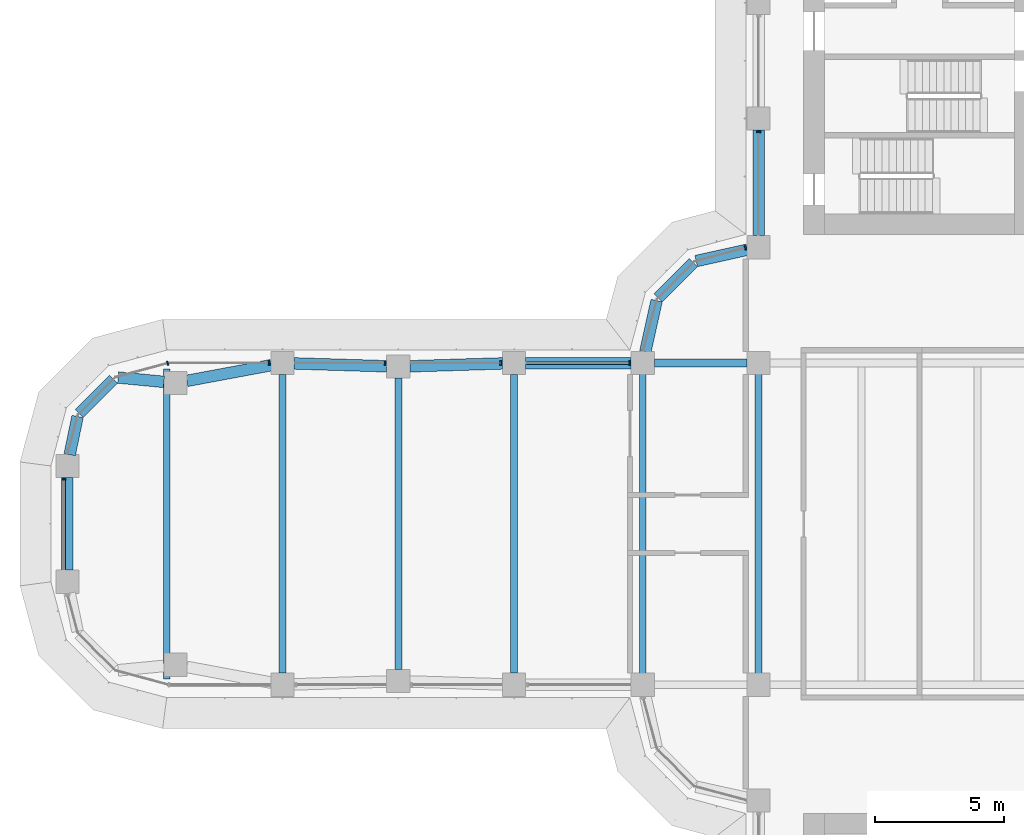
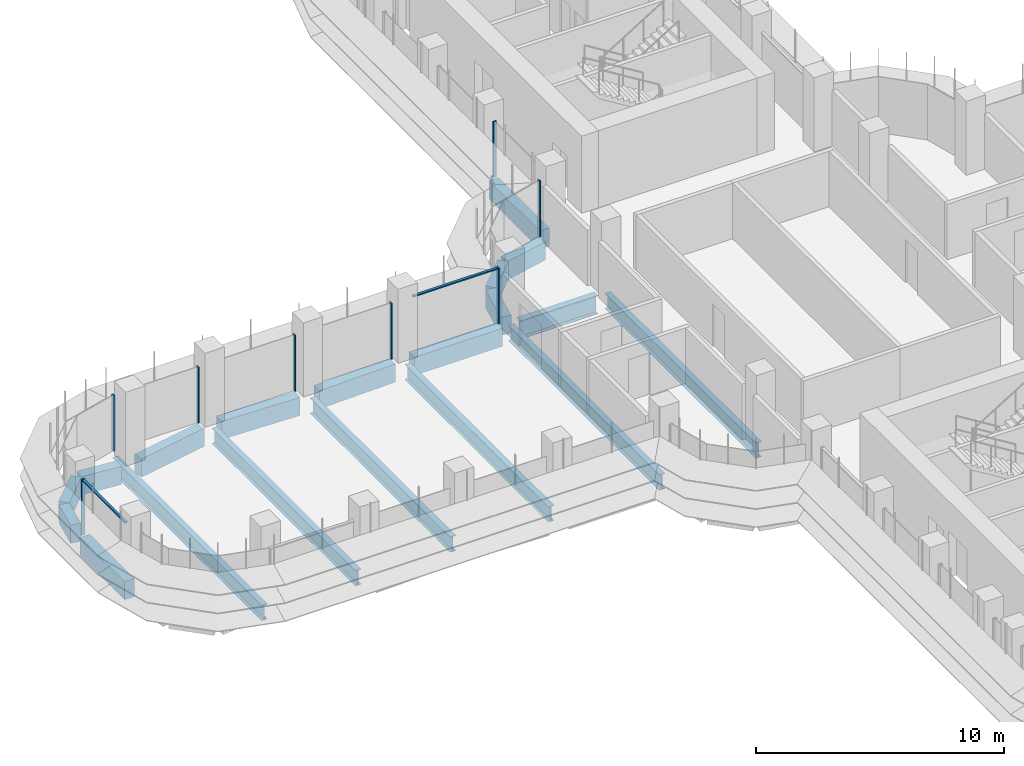
# One storey, part 6 of 21: 19 beams, 10 members, 5 elements without a shape of their own.
"""IFC4 building model written with IfcOpenShell, lengths in metres."""

from ifc_helpers import new_model, si_unit, direction, frame, origin, origin_2d, place, context, subcontext, project, spatial, polyline, rectangle, i_section, outline, extrude, source, transform, mapped, material, material_profile, profile_set, type_object, element, aggregate, save


model = new_model("IFC4")

# Units and contexts
model_context = context("Model", 3, precision=1e-05, world=origin(), true_north=direction((0.0, 1.0)))
body_context = subcontext(model_context, "Body", "Model", "MODEL_VIEW")
ifc_project = project(units=[si_unit("LENGTHUNIT", "METRE"), si_unit("AREAUNIT", "SQUARE_METRE"), si_unit("VOLUMEUNIT", "CUBIC_METRE"), si_unit("PLANEANGLEUNIT", "RADIAN"), si_unit("MASSUNIT", "GRAM", prefix="KILO")], contexts=[model_context])

# Site, building, storey
site_placement = place(None, origin())
site = spatial("IfcSite", under=ifc_project, at=site_placement, CompositionType="ELEMENT")
building_placement = place(site_placement, origin())
building = spatial("IfcBuilding", under=site, at=building_placement, Name="Zarbagh Exchange Tower", CompositionType="ELEMENT")
storey_placement = place(building_placement, frame((0.0, 0.0, 128.39990234375)))
storey = spatial("IfcBuildingStorey", under=building, at=storey_placement, Name="L30", CompositionType="ELEMENT", Elevation=128.39990234375)

# Beams
ifc_material_1 = material(Name="Steel ASTM A992 Gr 50", Category="steel")
ifc_material_profile_1 = material_profile(ifc_material_1, i_section(OverallWidth=0.2666015625, OverallDepth=0.7568359375, WebThickness=0.013916015625, FlangeThickness=0.019287109375, at=origin_2d()), Name="W30X108")
ifc_profile_set_1 = profile_set([ifc_material_profile_1], Name="Steel ASTM A992 Gr 50")
beam_type_1 = type_object("IfcBeamType", Name="Floor beam W30X108", PredefinedType="BEAM", material=ifc_profile_set_1)
for number, where, z_axis, x_axis, name in (
    (1, (-10.75, -6.09765625, -0.5283203125), (0.0, 1.0, 0.0), (-1.0, 0.0, 0.0), "Steel floor beam"),
    (2, (-6.25, -6.09765625, -0.5283203125), (0.0, 1.0, 0.0), (-1.0, 0.0, 0.0), "Steel floor beam"),
):
    element("IfcBeam", number, at=place(storey_placement, frame(where, z_axis=z_axis, x_axis=x_axis)), inside=storey, type_object=beam_type_1, Name=name, PredefinedType="BEAM", context=body_context, shape_type="SweptSolid", body=[
        extrude(i_section(OverallWidth=0.2666015625, OverallDepth=0.7568359375, WebThickness=0.013916015625, FlangeThickness=0.019287109375, at=origin_2d()), origin(), (0.0, 0.0, 1.0), 12.1953125),
    ])
beam_1_placement = place(storey_placement, frame((-15.75, -5.800048828125, -0.5283203125), z_axis=(0.0, 1.0, 0.0), x_axis=(-1.0, 0.0, 0.0)))
element("IfcBeam", 3, at=beam_1_placement, inside=storey, type_object=beam_type_1, Name="Steel floor beam", PredefinedType="BEAM", context=body_context, shape_type="SweptSolid", body=[
    extrude(i_section(OverallWidth=0.2666015625, OverallDepth=0.7568359375, WebThickness=0.013916015625, FlangeThickness=0.019287109375, at=origin_2d()), origin(), (0.0, 0.0, 1.0), 11.60009765625),
])
beam_2_placement = place(storey_placement, frame((-20.25, -5.659912109375, -0.5283203125), z_axis=(0.0, 1.0, 0.0), x_axis=(-1.0, 0.0, 0.0)))
element("IfcBeam", 4, at=beam_2_placement, inside=storey, type_object=beam_type_1, Name="Steel floor beam", PredefinedType="BEAM", context=body_context, shape_type="SweptSolid", body=[
    extrude(i_section(OverallWidth=0.2666015625, OverallDepth=0.7568359375, WebThickness=0.013916015625, FlangeThickness=0.019287109375, at=origin_2d()), origin(), (0.0, 0.0, 1.0), 11.31982421875),
])
beam_3_placement = place(storey_placement, frame((-24.75, -5.800048828125, -0.5283203125), z_axis=(0.0, 1.0, 0.0), x_axis=(-1.0, 0.0, 0.0)))
element("IfcBeam", 5, at=beam_3_placement, inside=storey, type_object=beam_type_1, Name="Steel floor beam", PredefinedType="BEAM", context=body_context, shape_type="SweptSolid", body=[
    extrude(i_section(OverallWidth=0.2666015625, OverallDepth=0.7568359375, WebThickness=0.013916015625, FlangeThickness=0.019287109375, at=origin_2d()), origin(), (0.0, 0.0, 1.0), 11.60009765625),
])
beam_4_placement = place(storey_placement, frame((-29.25, -6.02490234375, -0.5283203125), z_axis=(0.0, 1.0, 0.0), x_axis=(-1.0, 0.0, 0.0)))
element("IfcBeam", 6, at=beam_4_placement, inside=storey, type_object=beam_type_1, Name="Steel floor beam", PredefinedType="BEAM", context=body_context, shape_type="SweptSolid", body=[
    extrude(i_section(OverallWidth=0.2666015625, OverallDepth=0.7568359375, WebThickness=0.013916015625, FlangeThickness=0.019287109375, at=origin_2d()), origin(), (0.0, 0.0, 1.0), 12.0498046875),
])
ifc_material_profile_2 = material_profile(ifc_material_1, i_section(OverallWidth=0.3046875, OverallDepth=0.911865234375, WebThickness=0.015869140625, FlangeThickness=0.02392578125, at=origin_2d()), Name="W36X150")
ifc_profile_set_2 = profile_set([ifc_material_profile_2], Name="Steel ASTM A992 Gr 50")
beam_type_2 = type_object("IfcBeamType", Name="Floor girder W36X150", PredefinedType="BEAM", material=ifc_profile_set_2)
beam_5_placement = place(storey_placement, frame((-10.300048828125, 6.25, -0.605712890625), z_axis=(1.0, 0.0, 0.0), x_axis=(0.0, 1.0, 0.0)))
element("IfcBeam", 7, at=beam_5_placement, inside=storey, type_object=beam_type_2, Name="Steel girder", PredefinedType="BEAM", context=body_context, shape_type="SweptSolid", body=[
    extrude(i_section(OverallWidth=0.3046875, OverallDepth=0.911865234375, WebThickness=0.015869140625, FlangeThickness=0.02392578125, at=origin_2d()), origin(), (0.0, 0.0, 1.0), 3.60009765625),
])
ifc_material_2 = material(Name="Concrete C60/75", Category="concrete")
ifc_material_profile_3 = material_profile(ifc_material_2, rectangle(XDim=0.449951171875, YDim=0.89990234375, at=origin_2d()), Name="RC spandrel beam 450 x 900 C60/75")
ifc_profile_set_3 = profile_set([ifc_material_profile_3], Name="Concrete C60/75")
beam_type_3 = type_object("IfcBeamType", Name="RC spandrel beam 450 x 900 C60/75", PredefinedType="SPANDREL", material=ifc_profile_set_3)
beam_6_placement = place(storey_placement, frame((-33.110107421875, -1.800048828125, -0.599853515625), z_axis=(0.0, 1.0, 0.0), x_axis=(-1.0, 0.0, 0.0)))
element("IfcBeam", 8, at=beam_6_placement, inside=storey, type_object=beam_type_3, Name="RC spandrel beam", PredefinedType="SPANDREL", context=body_context, shape_type="SweptSolid", body=[
    extrude(rectangle(XDim=0.449951171875, YDim=0.89990234375, at=origin_2d()), origin(), (0.0, 0.0, 1.0), 3.60009765625),
])
beam_7_placement = place(storey_placement, frame((-33.01904296875, 2.690673828125, -0.599853515625), z_axis=(0.202275417995, 0.979328675816, 0.0), x_axis=(-0.979328675816, 0.202275417995, 0.0)))
element("IfcBeam", 9, at=beam_7_placement, inside=storey, type_object=beam_type_3, Name="RC spandrel beam", PredefinedType="SPANDREL", context=body_context, shape_type="SweptSolid", body=[
    extrude(rectangle(XDim=0.449951171875, YDim=0.89990234375, at=origin_2d()), origin(), (0.0, 0.0, 1.0), 1.515869140625),
])
beam_8_placement = place(storey_placement, frame((-32.651123046875, 4.288818359375, -0.599853515625), z_axis=(0.707106781187, 0.707106781187, 0.0), x_axis=(-0.707106781187, 0.707106781187, 0.0)))
element("IfcBeam", 10, at=beam_8_placement, inside=storey, type_object=beam_type_3, Name="RC spandrel beam", PredefinedType="SPANDREL", context=body_context, shape_type="SweptSolid", body=[
    extrude(rectangle(XDim=0.449951171875, YDim=0.89990234375, at=origin_2d()), origin(), (0.0, 0.0, 1.0), 1.887939453125),
])
beam_9_placement = place(storey_placement, frame((-31.135498046875, 5.688720703125, -0.599853515625), z_axis=(0.995433267802, -0.095459988228, 0.0), x_axis=(0.095459988228, 0.995433267802, 0.0)))
element("IfcBeam", 11, at=beam_9_placement, inside=storey, type_object=beam_type_3, Name="RC spandrel beam", PredefinedType="SPANDREL", context=body_context, shape_type="SweptSolid", body=[
    extrude(rectangle(XDim=0.449951171875, YDim=0.89990234375, at=origin_2d()), origin(), (0.0, 0.0, 1.0), 1.78759765625),
])
beam_10_placement = place(storey_placement, frame((-28.465576171875, 5.5576171875, -0.599853515625), z_axis=(0.98308156541, 0.183168326277, 0.0), x_axis=(-0.183168326277, 0.98308156541, 0.0)))
element("IfcBeam", 12, at=beam_10_placement, inside=storey, type_object=beam_type_3, Name="RC spandrel beam", PredefinedType="SPANDREL", context=body_context, shape_type="SweptSolid", body=[
    extrude(rectangle(XDim=0.449951171875, YDim=0.89990234375, at=origin_2d()), origin(), (0.0, 0.0, 1.0), 3.32958984375),
])
for number, where, z_axis, x_axis, name in (
    (13, (-24.30029296875, 6.236083984375, -0.599853515625), (0.999516035224, -0.031107801747, 0.0), (0.031107801747, 0.999516035224, 0.0), "RC spandrel beam"),
    (14, (-19.80029296875, 6.1240234375, -0.599853515625), (0.999516035224, 0.031107801747, 0.0), (-0.031107801747, 0.999516035224, 0.0), "RC spandrel beam"),
):
    element("IfcBeam", number, at=place(storey_placement, frame(where, z_axis=z_axis, x_axis=x_axis)), inside=storey, type_object=beam_type_3, Name=name, PredefinedType="SPANDREL", context=body_context, shape_type="SweptSolid", body=[
        extrude(rectangle(XDim=0.449951171875, YDim=0.89990234375, at=origin_2d()), origin(), (0.0, 0.0, 1.0), 3.602294921875),
    ])
beam_11_placement = place(storey_placement, frame((-15.300048828125, 6.25, -0.599853515625), z_axis=(1.0, 0.0, 0.0), x_axis=(0.0, 1.0, 0.0)))
element("IfcBeam", 15, at=beam_11_placement, inside=storey, type_object=beam_type_3, Name="RC spandrel beam", PredefinedType="SPANDREL", context=body_context, shape_type="SweptSolid", body=[
    extrude(rectangle(XDim=0.449951171875, YDim=0.89990234375, at=origin_2d()), origin(), (0.0, 0.0, 1.0), 4.10009765625),
])
beam_12_placement = place(storey_placement, frame((-10.65283203125, 6.689453125, -0.599853515625), z_axis=(0.216117666208, 0.976367325525, 0.0), x_axis=(-0.976367325525, 0.216117666208, 0.0)))
element("IfcBeam", 16, at=beam_12_placement, inside=storey, type_object=beam_type_3, Name="RC spandrel beam", PredefinedType="SPANDREL", context=body_context, shape_type="SweptSolid", body=[
    extrude(rectangle(XDim=0.449951171875, YDim=0.89990234375, at=origin_2d()), origin(), (0.0, 0.0, 1.0), 2.03564453125),
])
beam_13_placement = place(storey_placement, frame((-10.15234375, 8.78759765625, -0.599853515625), z_axis=(0.707106781187, 0.707106781187, 0.0), x_axis=(-0.707106781187, 0.707106781187, 0.0)))
element("IfcBeam", 17, at=beam_13_placement, inside=storey, type_object=beam_type_3, Name="RC spandrel beam", PredefinedType="SPANDREL", context=body_context, shape_type="SweptSolid", body=[
    extrude(rectangle(XDim=0.449951171875, YDim=0.89990234375, at=origin_2d()), origin(), (0.0, 0.0, 1.0), 1.929931640625),
])
beam_14_placement = place(storey_placement, frame((-8.677001953125, 10.212890625, -0.599853515625), z_axis=(0.976367325525, 0.216117666208, 0.0), x_axis=(-0.216117666208, 0.976367325525, 0.0)))
element("IfcBeam", 18, at=beam_14_placement, inside=storey, type_object=beam_type_3, Name="RC spandrel beam", PredefinedType="SPANDREL", context=body_context, shape_type="SweptSolid", body=[
    extrude(rectangle(XDim=0.449951171875, YDim=0.89990234375, at=origin_2d()), origin(), (0.0, 0.0, 1.0), 2.03564453125),
])
beam_15_placement = place(storey_placement, frame((-6.25, 11.199951171875, -0.599853515625), z_axis=(0.0, 1.0, 0.0), x_axis=(-1.0, 0.0, 0.0)))
element("IfcBeam", 19, at=beam_15_placement, inside=storey, type_object=beam_type_3, Name="RC spandrel beam", PredefinedType="SPANDREL", context=body_context, shape_type="SweptSolid", body=[
    extrude(rectangle(XDim=0.449951171875, YDim=0.89990234375, at=origin_2d()), origin(), (0.0, 0.0, 1.0), 4.10009765625),
])

# Curtain wall, member
ifc_material_3 = material(Name="Anodised aluminium frame and glazing", Category="aluminium")
curtain_wall_type = type_object("IfcCurtainWallType", Name="CWA Ribbon glazing, lower zones", PredefinedType="NOTDEFINED", material=ifc_material_3)
curtain_wall_1_placement = place(storey_placement, origin())
curtain_wall_1 = element("IfcCurtainWall", 20, at=curtain_wall_1_placement, inside=storey, type_object=curtain_wall_type, Name="CWA56 curtain wall", PredefinedType="NOTDEFINED")
ifc_material_4 = material(Name="Anodised aluminium frame", Category="aluminium")
member_type_1 = type_object("IfcMemberType", Name="MUA Mullion, anodised aluminium frame", PredefinedType="MULLION", material=ifc_material_4)
shared_shape_1 = source(origin(), body_context, "Body", "SweptSolid", [
    extrude(outline(polyline([(0.0, -0.080078125), (0.06005859375, -0.080078125), (0.06005859375, 0.080078125), (0.0, 0.080078125), (0.0, -0.080078125)])), origin(), (0.0, 0.0, 1.0), 2.75),
])
placement = place(storey_placement, origin())
member_1 = element("IfcMember", 21, at=placement, type_object=member_type_1, Name="CWA56 mullion 4.1", PredefinedType="MULLION", context=body_context, shape_type="MappedRepresentation", body=[
    mapped(shared_shape_1, transform((-6.25, 15.260009765625, 0.0), x_axis=(0.0, -1.0, 0.0), y_axis=(1.0, 0.0, 0.0), z_axis=(0.0, 0.0, 1.0))),
])
aggregate(curtain_wall_1, [member_1])

curtain_wall_2_placement = place(storey_placement, origin())
curtain_wall_2 = element("IfcCurtainWall", 22, at=curtain_wall_2_placement, inside=storey, type_object=curtain_wall_type, Name="CWA29 curtain wall", PredefinedType="NOTDEFINED")
member_2 = element("IfcMember", 23, at=placement, type_object=member_type_1, Name="CWA29 mullion 1.1", PredefinedType="MULLION", context=body_context, shape_type="MappedRepresentation", body=[
    mapped(shared_shape_1, transform((-6.739990234375, 10.735107421875, 0.0), x_axis=(-0.965924289636, -0.258824779902, 0.0), y_axis=(0.258824779902, -0.965924289636, 0.0), z_axis=(0.0, 0.0, 1.0))),
])
aggregate(curtain_wall_2, [member_2])

# Curtain wall, members
curtain_wall_3_placement = place(storey_placement, origin())
curtain_wall_3 = element("IfcCurtainWall", 24, at=curtain_wall_3_placement, inside=storey, type_object=curtain_wall_type, Name="CWA32 curtain wall", PredefinedType="NOTDEFINED")
member_3 = element("IfcMember", 25, at=placement, type_object=member_type_1, Name="CWA32 mullion 1.1", PredefinedType="MULLION", context=body_context, shape_type="MappedRepresentation", body=[
    mapped(shared_shape_1, transform((-11.239990234375, 6.25, 0.0), x_axis=(-1.0, 0.0, 0.0), y_axis=(0.0, -1.0, 0.0), z_axis=(0.0, 0.0, 1.0))),
])
member_4 = element("IfcMember", 26, at=placement, type_object=member_type_1, Name="CWA32 mullion 2.1", PredefinedType="MULLION", context=body_context, shape_type="MappedRepresentation", body=[
    mapped(shared_shape_1, transform((-16.239990234375, 6.25, 0.0), x_axis=(-1.0, 0.0, 0.0), y_axis=(0.0, -1.0, 0.0), z_axis=(0.0, 0.0, 1.0))),
])
member_5 = element("IfcMember", 27, at=placement, type_object=member_type_1, Name="CWA32 mullion 3.1", PredefinedType="MULLION", context=body_context, shape_type="MappedRepresentation", body=[
    mapped(shared_shape_1, transform((-20.739990234375, 6.25, 0.0), x_axis=(-1.0, 0.0, 0.0), y_axis=(0.0, -1.0, 0.0), z_axis=(0.0, 0.0, 1.0))),
])
member_6 = element("IfcMember", 28, at=placement, type_object=member_type_1, Name="CWA32 mullion 4.1", PredefinedType="MULLION", context=body_context, shape_type="MappedRepresentation", body=[
    mapped(shared_shape_1, transform((-25.239990234375, 6.25, 0.0), x_axis=(-1.0, 0.0, 0.0), y_axis=(0.0, -1.0, 0.0), z_axis=(0.0, 0.0, 1.0))),
])

# Curtain wall, member
curtain_wall_4_placement = place(storey_placement, origin())
curtain_wall_4 = element("IfcCurtainWall", 29, at=curtain_wall_4_placement, inside=storey, type_object=curtain_wall_type, Name="CWA33 curtain wall", PredefinedType="NOTDEFINED")
member_7 = element("IfcMember", 30, at=placement, type_object=member_type_1, Name="CWA33 mullion 1.1", PredefinedType="MULLION", context=body_context, shape_type="MappedRepresentation", body=[
    mapped(shared_shape_1, transform((-29.18408203125, 6.25, 0.0), x_axis=(-0.965924289636, -0.258824779902, 0.0), y_axis=(0.258824779902, -0.965924289636, 0.0), z_axis=(0.0, 0.0, 1.0))),
])
aggregate(curtain_wall_4, [member_7])

curtain_wall_5_placement = place(storey_placement, origin())
curtain_wall_5 = element("IfcCurtainWall", 31, at=curtain_wall_5_placement, inside=storey, type_object=curtain_wall_type, Name="CWA36 curtain wall", PredefinedType="NOTDEFINED")
member_8 = element("IfcMember", 32, at=placement, type_object=member_type_1, Name="CWA36 mullion 1.1", PredefinedType="MULLION", context=body_context, shape_type="MappedRepresentation", body=[
    mapped(shared_shape_1, transform((-33.25, 1.760009765625, 0.0), x_axis=(0.0, -1.0, 0.0), y_axis=(1.0, 0.0, 0.0), z_axis=(0.0, 0.0, 1.0))),
])

# Member
member_type_2 = type_object("IfcMemberType", Name="TRA Transom, anodised aluminium frame", PredefinedType="USERDEFINED", material=ifc_material_4)
shared_shape_2 = source(origin(), body_context, "Body", "SweptSolid", [
    extrude(outline(polyline([(-0.06005859375, -0.06005859375), (0.0, -0.06005859375), (0.0, 0.06005859375), (-0.06005859375, 0.06005859375), (-0.06005859375, -0.06005859375)])), origin(), (0.0, 0.0, 1.0), 3.9599609375),
])
member_9 = element("IfcMember", 33, at=placement, type_object=member_type_2, Name="CWA32 transom 1.1", ObjectType="TRANSOM", PredefinedType="USERDEFINED", context=body_context, shape_type="MappedRepresentation", body=[
    mapped(shared_shape_2, transform((-11.300048828125, 6.25, 2.75), x_axis=(0.0, 0.0, 1.0), y_axis=(0.0, 1.0, 0.0), z_axis=(-1.0, 0.0, 0.0))),
])

aggregate(curtain_wall_3, [member_3, member_9, member_4, member_5, member_6])

shared_shape_3 = source(origin(), body_context, "Body", "SweptSolid", [
    extrude(outline(polyline([(-0.06005859375, -0.06005859375), (0.0, -0.06005859375), (0.0, 0.06005859375), (-0.06005859375, 0.06005859375), (-0.06005859375, -0.06005859375)])), origin(), (0.0, 0.0, 1.0), 3.4599609375),
])
member_10 = element("IfcMember", 34, at=placement, type_object=member_type_2, Name="CWA36 transom 1.1", ObjectType="TRANSOM", PredefinedType="USERDEFINED", context=body_context, shape_type="MappedRepresentation", body=[
    mapped(shared_shape_3, transform((-33.25, 1.699951171875, 2.75), x_axis=(0.0, 0.0, 1.0), y_axis=(-1.0, 0.0, 0.0), z_axis=(0.0, -1.0, 0.0))),
])

aggregate(curtain_wall_5, [member_8, member_10])

save(model, "model.ifc")
